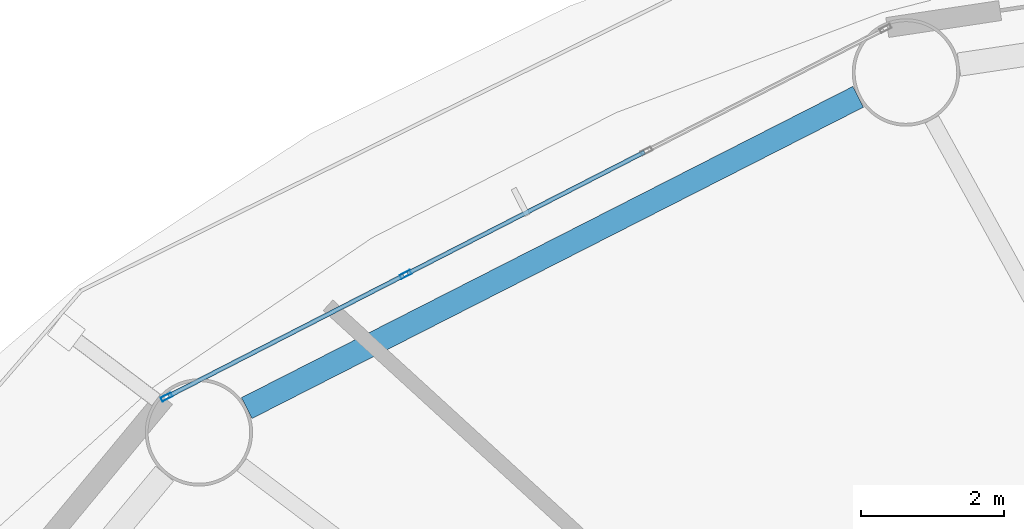
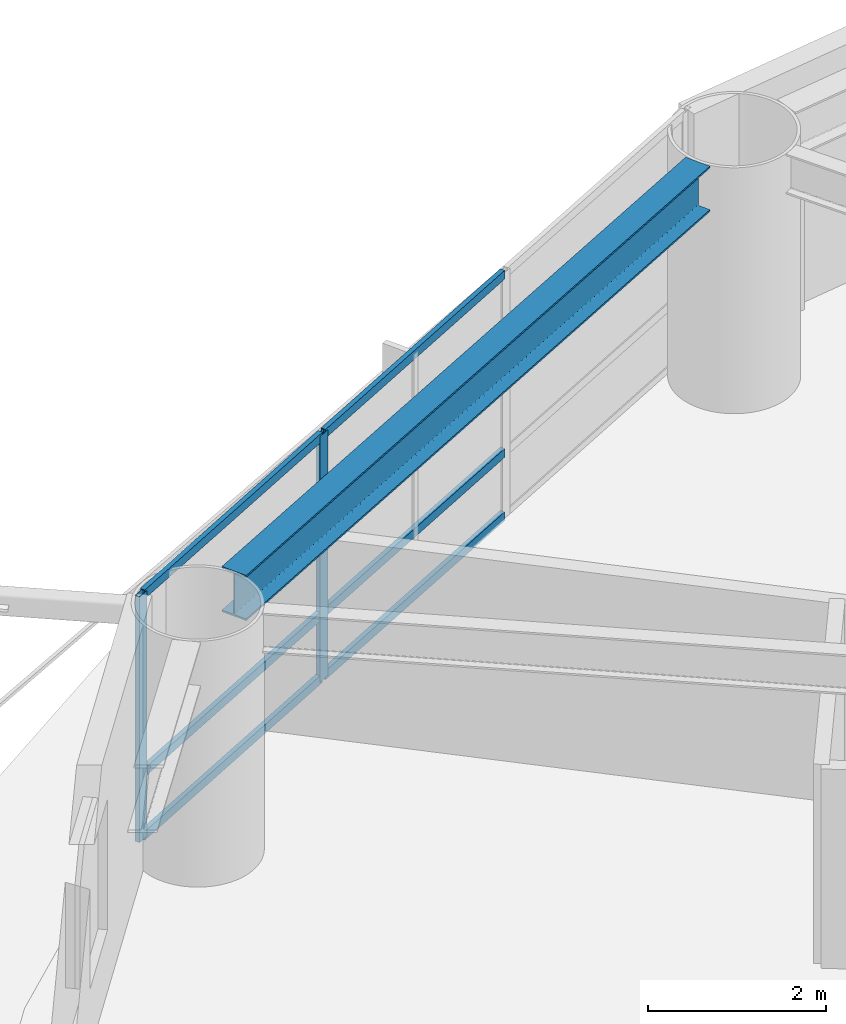
# One storey, part 10 of 26: 8 members, 1 beam, 1 element without a shape of its own.
"""IFC4 building model written with IfcOpenShell, lengths in metres."""

from ifc_helpers import new_model, si_unit, direction, frame, origin, origin_2d, place, context, subcontext, project, spatial, hollow_rectangle, i_section, extrude, material, layer, layer_set, material_profile, profile_set, type_object, element, aggregate, save


model = new_model("IFC4")

# Units and contexts
model_context = context("Model", 3, precision=1e-05, world=origin(), true_north=direction((0.0, 1.0)))
body_context = subcontext(model_context, "Body", "Model", "MODEL_VIEW")
ifc_project = project(units=[si_unit("LENGTHUNIT", "METRE"), si_unit("AREAUNIT", "SQUARE_METRE"), si_unit("VOLUMEUNIT", "CUBIC_METRE"), si_unit("PLANEANGLEUNIT", "RADIAN"), si_unit("MASSUNIT", "GRAM", prefix="KILO")], contexts=[model_context])

# Site, building, storey
site_placement = place(None, origin())
site = spatial("IfcSite", under=ifc_project, at=site_placement, CompositionType="ELEMENT")
building_placement = place(site_placement, origin())
building = spatial("IfcBuilding", under=site, at=building_placement, Name="Sarneth Arch Tower", CompositionType="ELEMENT")
storey_placement = place(building_placement, frame((0.0, 0.0, 64.199951171875)))
storey = spatial("IfcBuildingStorey", under=building, at=storey_placement, Name="L15", CompositionType="ELEMENT", Elevation=64.199951171875)

# Beam
ifc_material_1 = material(Name="Steel S355", Category="steel")
ifc_material_profile_1 = material_profile(ifc_material_1, i_section(OverallWidth=0.326904296875, OverallDepth=0.6220703125, WebThickness=0.015380859375, FlangeThickness=0.0244140625, FilletRadius=0.01904296875, at=origin_2d()), Name="W610x195")
ifc_profile_set_1 = profile_set([ifc_material_profile_1], Name="Steel S355")
beam_type = type_object("IfcBeamType", Name="BM-SPAN-610A", PredefinedType="SPANDREL", material=ifc_profile_set_1)
beam_placement = place(storey_placement, frame((35.513916015625, 63.09375, 3.069091796875), z_axis=(-0.891169106887, -0.453671271882, 0.0), x_axis=(0.453671271882, -0.891169106887, 0.0)))
element("IfcBeam", 1, at=beam_placement, inside=storey, type_object=beam_type, Name="L15 Perimeter spandrel beam 06", PredefinedType="SPANDREL", context=body_context, shape_type="SweptSolid", body=[
    extrude(i_section(OverallWidth=0.326904296875, OverallDepth=0.6220703125, WebThickness=0.015380859375, FlangeThickness=0.0244140625, FilletRadius=0.01904296875, at=origin_2d()), origin(), (0.0, 0.0, 1.0), 9.58544921875),
])

# Curtain wall, members
ifc_material_2 = material(Name="Anodised aluminium Type AA25 and solar-control low-e laminated IGU", Category="aluminium")
ifc_layer = layer(ifc_material_2, 0.159912109375)
ifc_layer_set = layer_set([ifc_layer], Name="Anodised aluminium Type AA25 and solar-control low-e laminated IGU")
curtain_wall_type = type_object("IfcCurtainWallType", Name="CW-HOTEL-LOW", PredefinedType="NOTDEFINED", material=ifc_layer_set)
curtain_wall_placement = place(storey_placement, origin())
curtain_wall = element("IfcCurtainWall", 2, at=curtain_wall_placement, inside=storey, type_object=curtain_wall_type, Name="L15 Unitised curtain wall facet 06", PredefinedType="NOTDEFINED")
ifc_material_3 = material(Name="Anodised Aluminium 6063-T6", Category="aluminium")
ifc_material_profile_2 = material_profile(ifc_material_3, hollow_rectangle(XDim=0.06005859375, YDim=0.159912109375, WallThickness=0.00390625, at=origin_2d()), Name="AL-MULL-160x60x4")
ifc_profile_set_2 = profile_set([ifc_material_profile_2], Name="Anodised Aluminium 6063-T6")
member_type_1 = type_object("IfcMemberType", Name="CW-MULLION", PredefinedType="MULLION", material=ifc_profile_set_2)
member_1_placement = place(storey_placement, frame((29.19140625, 60.611328125, 0.0), z_axis=(0.0, 0.0, 1.0), x_axis=(0.456245197127, -0.889854100456, 0.0)))
member_1 = element("IfcMember", 3, at=member_1_placement, type_object=member_type_1, Name="CW-SYS-3 mullion 3", PredefinedType="MULLION", context=body_context, shape_type="SweptSolid", body=[
    extrude(hollow_rectangle(XDim=0.06005859375, YDim=0.159912109375, WallThickness=0.00390625, at=origin_2d()), origin(), (0.0, 0.0, 1.0), 3.380126953125),
])
member_2_placement = place(storey_placement, frame((25.8525390625, 58.8994140625, 0.0), z_axis=(0.0, 0.0, 1.0), x_axis=(0.456245197127, -0.889854100456, 0.0)))
member_2 = element("IfcMember", 4, at=member_2_placement, type_object=member_type_1, Name="CW-SYS-3 mullion 4", PredefinedType="MULLION", context=body_context, shape_type="SweptSolid", body=[
    extrude(hollow_rectangle(XDim=0.06005859375, YDim=0.159912109375, WallThickness=0.00390625, at=origin_2d()), origin(), (0.0, 0.0, 1.0), 3.380126953125),
])
ifc_material_4 = material(Name="Anodised Aluminium 6063-T6", Category="aluminium")
ifc_material_profile_3 = material_profile(ifc_material_4, hollow_rectangle(XDim=0.06005859375, YDim=0.1201171875, WallThickness=0.00390625, at=origin_2d()), Name="AL-TRAN-120x60x4")
ifc_profile_set_3 = profile_set([ifc_material_profile_3], Name="Anodised Aluminium 6063-T6")
member_type_2 = type_object("IfcMemberType", Name="CW-TRANSOM", PredefinedType="USERDEFINED", material=ifc_profile_set_3)
member_3_placement = place(storey_placement, frame((32.530029296875, 62.322998046875, 0.030029296875), z_axis=(-0.889868677022, -0.456216766083, 0.0), x_axis=(0.456216766083, -0.889868677022, 0.0)))
member_3 = element("IfcMember", 5, at=member_3_placement, type_object=member_type_2, Name="CW-SYS-3 transom 2.1", ObjectType="TRANSOM", PredefinedType="USERDEFINED", context=body_context, shape_type="SweptSolid", body=[
    extrude(hollow_rectangle(XDim=0.06005859375, YDim=0.1201171875, WallThickness=0.00390625, at=origin_2d()), origin(), (0.0, 0.0, 1.0), 3.721923828125),
])
member_4_placement = place(storey_placement, frame((32.530029296875, 62.322998046875, 0.900146484375), z_axis=(-0.889868677022, -0.456216766083, 0.0), x_axis=(0.456216766083, -0.889868677022, 0.0)))
member_4 = element("IfcMember", 6, at=member_4_placement, type_object=member_type_2, Name="CW-SYS-3 transom 2.2", ObjectType="TRANSOM", PredefinedType="USERDEFINED", context=body_context, shape_type="SweptSolid", body=[
    extrude(hollow_rectangle(XDim=0.06005859375, YDim=0.1201171875, WallThickness=0.00390625, at=origin_2d()), origin(), (0.0, 0.0, 1.0), 3.721923828125),
])
member_5_placement = place(storey_placement, frame((32.530029296875, 62.322998046875, 3.35009765625), z_axis=(-0.889868677022, -0.456216766083, 0.0), x_axis=(0.456216766083, -0.889868677022, 0.0)))
member_5 = element("IfcMember", 7, at=member_5_placement, type_object=member_type_2, Name="CW-SYS-3 transom 2.3", ObjectType="TRANSOM", PredefinedType="USERDEFINED", context=body_context, shape_type="SweptSolid", body=[
    extrude(hollow_rectangle(XDim=0.06005859375, YDim=0.1201171875, WallThickness=0.00390625, at=origin_2d()), origin(), (0.0, 0.0, 1.0), 3.721923828125),
])
member_6_placement = place(storey_placement, frame((29.16455078125, 60.597412109375, 0.030029296875), z_axis=(-0.889871845224, -0.456210586327, 0.0), x_axis=(0.456210586327, -0.889871845224, 0.0)))
member_6 = element("IfcMember", 8, at=member_6_placement, type_object=member_type_2, Name="CW-SYS-3 transom 3.1", ObjectType="TRANSOM", PredefinedType="USERDEFINED", context=body_context, shape_type="SweptSolid", body=[
    extrude(hollow_rectangle(XDim=0.06005859375, YDim=0.1201171875, WallThickness=0.00390625, at=origin_2d()), origin(), (0.0, 0.0, 1.0), 3.69189453125),
])
member_7_placement = place(storey_placement, frame((29.16455078125, 60.597412109375, 0.900146484375), z_axis=(-0.889871845224, -0.456210586327, 0.0), x_axis=(0.456210586327, -0.889871845224, 0.0)))
member_7 = element("IfcMember", 9, at=member_7_placement, type_object=member_type_2, Name="CW-SYS-3 transom 3.2", ObjectType="TRANSOM", PredefinedType="USERDEFINED", context=body_context, shape_type="SweptSolid", body=[
    extrude(hollow_rectangle(XDim=0.06005859375, YDim=0.1201171875, WallThickness=0.00390625, at=origin_2d()), origin(), (0.0, 0.0, 1.0), 3.69189453125),
])
member_8_placement = place(storey_placement, frame((29.16455078125, 60.597412109375, 3.35009765625), z_axis=(-0.889871845224, -0.456210586327, 0.0), x_axis=(0.456210586327, -0.889871845224, 0.0)))
member_8 = element("IfcMember", 10, at=member_8_placement, type_object=member_type_2, Name="CW-SYS-3 transom 3.3", ObjectType="TRANSOM", PredefinedType="USERDEFINED", context=body_context, shape_type="SweptSolid", body=[
    extrude(hollow_rectangle(XDim=0.06005859375, YDim=0.1201171875, WallThickness=0.00390625, at=origin_2d()), origin(), (0.0, 0.0, 1.0), 3.69189453125),
])
aggregate(curtain_wall, [member_1, member_2, member_3, member_4, member_5, member_6, member_7, member_8])

save(model, "model.ifc")
